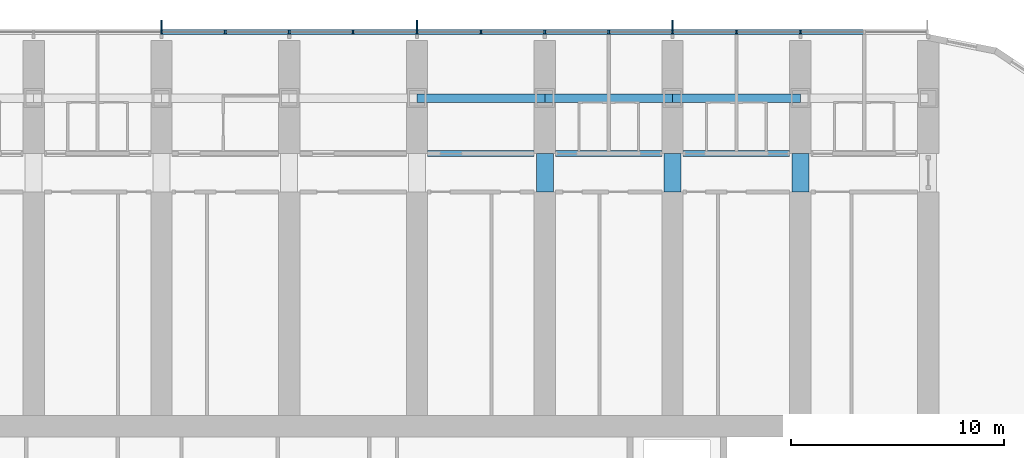
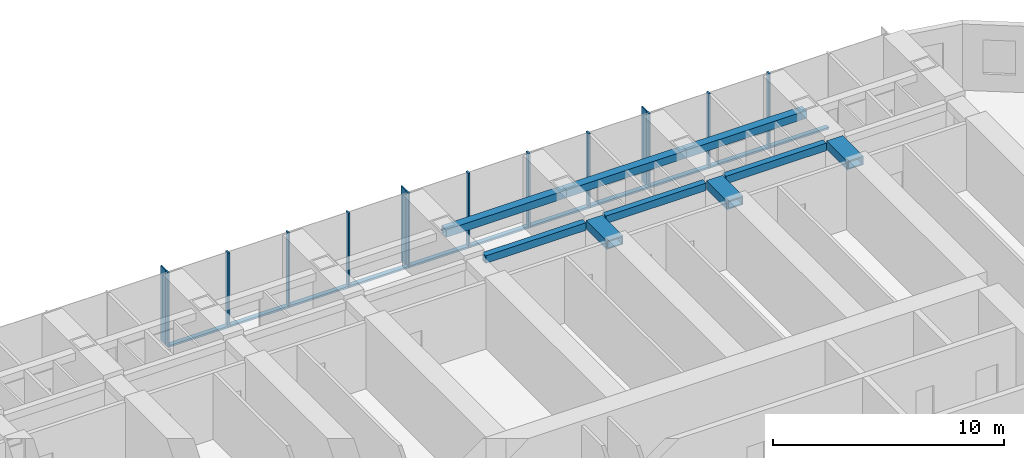
# One storey, part 7 of 28: 25 members, 9 beams, 1 element without a shape of its own.
"""IFC4 building model written with IfcOpenShell, lengths in metres."""

import ifcopenshell
import ifcopenshell.guid

model = None  # the IFC model being written
_history = None  # IfcOwnerHistory: only IFC2X3 demands one
_inside = {}  # id of a spatial element -> (the spatial element, [elements in it])
_under = {}  # id of a project, library or spatial element -> (it, [spatial elements below it])
_declared = {}  # id of a project -> (the project, [libraries it declares])
_typed = {}  # id of a type object -> (the type object, [elements of that type])
_made_of = {}  # id of a material, layer set ... -> (it, [elements and type objects made of it])


def new_model(schema):
    """Start an empty IFC model of exactly this schema.

    Asked for "IFC4X3", IfcOpenShell would pick the latest addendum, in which some entities
    have other attributes; the version numbers below select the first issue.
    IFC2X3 requires an IfcOwnerHistory on every rooted entity: one is made here for all.
    """
    global model, _history
    if schema == "IFC4X3":
        model = ifcopenshell.file(schema_version=(4, 3, 0, 0))
    else:
        model = ifcopenshell.file(schema=schema)
    _inside.clear()
    _under.clear()
    _declared.clear()
    _typed.clear()
    _made_of.clear()
    _history = None
    if model.schema == "IFC2X3":
        org = make("IfcOrganization", Name="unknown")
        user = make(
            "IfcPersonAndOrganization",
            ThePerson=make("IfcPerson", FamilyName="unknown"),
            TheOrganization=org,
        )
        app = make(
            "IfcApplication",
            ApplicationDeveloper=org,
            Version="unknown",
            ApplicationFullName="unknown",
            ApplicationIdentifier="unknown",
        )
        _history = make(
            "IfcOwnerHistory",
            OwningUser=user,
            OwningApplication=app,
            ChangeAction="ADDED",
            CreationDate=0,
        )
    return model


def make(cls, **values):
    """One entity of the class cls with the attributes given. An attribute that is None is left unset."""
    return model.create_entity(
        cls, **{name: value for name, value in values.items() if value is not None}
    )


def rooted(cls, **values):
    """An entity with a GlobalId (a new one), such as an element, a storey or a relation."""
    return make(cls, GlobalId=ifcopenshell.guid.new(), OwnerHistory=_history, **values)


def si_unit(unit_type, name, prefix=None):
    """IfcSIUnit, for example si_unit("LENGTHUNIT", "METRE", prefix="MILLI")."""
    return make("IfcSIUnit", UnitType=unit_type, Prefix=prefix, Name=name)


def assignment(units):
    """IfcUnitAssignment: the units of a project."""
    return None if units is None else make("IfcUnitAssignment", Units=units)


def point(xyz):
    """IfcCartesianPoint."""
    return None if xyz is None else make("IfcCartesianPoint", Coordinates=xyz)


def direction(xyz):
    """IfcDirection."""
    return None if xyz is None else make("IfcDirection", DirectionRatios=xyz)


def frame(location, z_axis=None, x_axis=None):
    """IfcAxis2Placement3D, a coordinate frame: its origin and axes. An axis left out is left unset."""
    return make(
        "IfcAxis2Placement3D",
        Location=point(location),
        Axis=direction(z_axis),
        RefDirection=direction(x_axis),
    )


def frame_2d(location, x_axis=None):
    """IfcAxis2Placement2D, a coordinate frame in the plane: its origin and x axis."""
    return make(
        "IfcAxis2Placement2D", Location=point(location), RefDirection=direction(x_axis)
    )


def origin():
    """The frame at (0, 0, 0) with its axes left unset."""
    return frame((0.0, 0.0, 0.0))


def origin_2d():
    """The frame at (0, 0) in the plane with its x axis left unset."""
    return frame_2d((0.0, 0.0))


def place(relative_to, where):
    """IfcLocalPlacement: puts the frame where relative to a parent placement (None: the world)."""
    return make(
        "IfcLocalPlacement", PlacementRelTo=relative_to, RelativePlacement=where
    )


def context(
    kind, dimensions, precision=None, world=None, true_north=None, identifier=None
):
    """IfcGeometricRepresentationContext, for example the 3D "Model" context."""
    return make(
        "IfcGeometricRepresentationContext",
        ContextIdentifier=identifier,
        ContextType=kind,
        CoordinateSpaceDimension=dimensions,
        Precision=precision,
        WorldCoordinateSystem=world,
        TrueNorth=true_north,
    )


def subcontext(parent, identifier, kind, view, scale=None):
    """IfcGeometricRepresentationSubContext, for example "Body" below "Model"."""
    return make(
        "IfcGeometricRepresentationSubContext",
        ContextIdentifier=identifier,
        ContextType=kind,
        ParentContext=parent,
        TargetScale=scale,
        TargetView=view,
    )


def project(units=None, contexts=None):
    """IfcProject with its units and contexts."""
    return rooted(
        "IfcProject",
        Name="project",
        RepresentationContexts=contexts,
        UnitsInContext=assignment(units),
    )


def spatial(cls, under=None, at=None, **own):
    """A site, building, storey or space (cls), placed at a placement, below another one or the project."""
    s = rooted(cls, ObjectPlacement=at, **own)
    if under is not None:
        _under.setdefault(under.id(), (under, []))[1].append(s)
    return s


def profile(cls, at=None, kind="AREA", **sizes):
    """A parametric profile (cls). Its sizes go by their IFC names, for example OverallWidth=200.0."""
    return make(cls, ProfileType=kind, Position=at, **sizes)


def rectangle(**sizes):
    """IfcRectangleProfileDef."""
    return profile("IfcRectangleProfileDef", **sizes)


def hollow_rectangle(**sizes):
    """IfcRectangleHollowProfileDef."""
    return profile("IfcRectangleHollowProfileDef", **sizes)


def extrude(swept, where, along, depth):
    """IfcExtrudedAreaSolid: the profile swept, set in the frame where, extruded along a direction by depth."""
    return make(
        "IfcExtrudedAreaSolid",
        SweptArea=swept,
        Position=where,
        ExtrudedDirection=direction(along),
        Depth=depth,
    )


def shape(context_of_items, identifier, shape_type, items):
    """IfcShapeRepresentation: the items that make up one representation, for example the "Body"."""
    return make(
        "IfcShapeRepresentation",
        ContextOfItems=context_of_items,
        RepresentationIdentifier=identifier,
        RepresentationType=shape_type,
        Items=items,
    )


def material(Name=None, Category=None):
    """IfcMaterial."""
    return make("IfcMaterial", Name=Name, Category=Category)


def material_profile(
    of_material, cross_section, Name=None, Category=None, Priority=None
):
    """IfcMaterialProfile: a cross section and its material."""
    return make(
        "IfcMaterialProfile",
        Name=Name,
        Material=of_material,
        Profile=cross_section,
        Priority=Priority,
        Category=Category,
    )


def profile_set(profiles, Name=None, composite=None):
    """IfcMaterialProfileSet."""
    return make(
        "IfcMaterialProfileSet",
        Name=Name,
        MaterialProfiles=profiles,
        CompositeProfile=composite,
    )


def made_of(thing, what):
    """Note that an element or type object is made of a material, layer set ...; save() writes the relation."""
    if what is not None:
        _made_of.setdefault(what.id(), (what, []))[1].append(thing)
    return thing


def type_object(cls, material=None, **own):
    """A type object (cls), such as IfcWallType, which elements share."""
    return made_of(rooted(cls, **own), material)


def element(
    cls,
    number,
    at=None,
    inside=None,
    cuts=None,
    type_object=None,
    material=None,
    context=None,
    identifier="Body",
    shape_type=None,
    held_by="IfcProductDefinitionShape",
    body=None,
    shapes=None,
    **own,
):
    """One element of the class cls, such as IfcWall. Its Tag is "e" and its number.

    at: its placement. inside: the storey or other place that contains it. cuts: it is an
    opening in that element (IfcRelVoidsElement). A single representation is given by context,
    identifier, shape_type and body (its items); several are given by shapes. held_by: the class
    of the entity that holds the representations. save() writes the other relations.
    """
    e = rooted(cls, Tag="e%d" % number, ObjectPlacement=at, **own)
    if body is not None:
        shapes = [shape(context, identifier, shape_type, body)]
    if shapes is not None:
        e.Representation = make(held_by, Representations=shapes)
    if inside is not None:
        _inside.setdefault(inside.id(), (inside, []))[1].append(e)
    if cuts is not None:
        rooted(
            "IfcRelVoidsElement", RelatingBuildingElement=cuts, RelatedOpeningElement=e
        )
    if type_object is not None:
        _typed.setdefault(type_object.id(), (type_object, []))[1].append(e)
    return made_of(e, material)


def aggregate(whole, parts):
    """IfcRelAggregates: a whole, such as a stair, and the parts it consists of."""
    return rooted("IfcRelAggregates", RelatingObject=whole, RelatedObjects=parts)


def save(model, path):
    """Write the relations noted so far, then the file.

    IfcRelAggregates (storeys below a building ...), IfcRelContainedInSpatialStructure (elements
    in a storey), IfcRelDefinesByType, IfcRelAssociatesMaterial and IfcRelDeclares: one each for
    every whole, place, type object, material and project.
    """
    for whole, parts in _under.values():
        aggregate(whole, parts)
    for where, things in _inside.values():
        rooted(
            "IfcRelContainedInSpatialStructure",
            RelatedElements=things,
            RelatingStructure=where,
        )
    for kind, things in _typed.values():
        rooted("IfcRelDefinesByType", RelatedObjects=things, RelatingType=kind)
    for what, things in _made_of.values():
        rooted("IfcRelAssociatesMaterial", RelatedObjects=things, RelatingMaterial=what)
    for by, libraries in _declared.values():
        rooted("IfcRelDeclares", RelatingContext=by, RelatedDefinitions=libraries)
    model.write(path)


model = new_model("IFC4")

# Units and contexts
model_context = context("Model", 3, precision=1e-05, world=origin(), true_north=direction((0.0, 1.0)))
body_context = subcontext(model_context, "Body", "Model", "MODEL_VIEW")
ifc_project = project(units=[si_unit("LENGTHUNIT", "METRE"), si_unit("AREAUNIT", "SQUARE_METRE"), si_unit("VOLUMEUNIT", "CUBIC_METRE"), si_unit("PLANEANGLEUNIT", "RADIAN"), si_unit("MASSUNIT", "GRAM", prefix="KILO")], contexts=[model_context])

# Site, building, storey
site_placement = place(None, origin())
site = spatial("IfcSite", under=ifc_project, at=site_placement, CompositionType="ELEMENT")
building_placement = place(site_placement, origin())
building = spatial("IfcBuilding", under=site, at=building_placement, Name="Orbita Commons", CompositionType="ELEMENT")
storey_placement = place(building_placement, frame((0.0, 0.0, 38.949951171875)))
storey = spatial("IfcBuildingStorey", under=building, at=storey_placement, Name="L09", CompositionType="ELEMENT", Elevation=38.949951171875)

# Curtain wall, members
ifc_material_1 = material(Name="Anodised aluminium frame, pale silver", Category="aluminium")
curtain_wall_type = type_object("IfcCurtainWallType", Name="Unitised curtain wall CW-T, vision and spandrel", PredefinedType="NOTDEFINED", material=ifc_material_1)
curtain_wall_placement = place(storey_placement, origin())
curtain_wall = element("IfcCurtainWall", 1, at=curtain_wall_placement, inside=storey, type_object=curtain_wall_type, Name="Curtain wall north L09", PredefinedType="NOTDEFINED")
ifc_material_2 = material(Name="Anodised aluminium, pale silver", Category="aluminium")
ifc_material_profile_1 = material_profile(ifc_material_2, rectangle(XDim=0.080078125, YDim=0.219970703125, at=origin_2d()), Name="AL 80x220")
ifc_profile_set_1 = profile_set([ifc_material_profile_1], Name="Anodised aluminium, pale silver")
member_type_1 = type_object("IfcMemberType", Name="Curtain wall mullion 80x220", PredefinedType="MULLION", material=ifc_profile_set_1)
member_1_placement = place(storey_placement, frame((66.0, 56.7099609375, -0.449951171875), z_axis=(0.0, 0.0, 1.0), x_axis=(-1.0, 0.0, 0.0)))
member_1 = element("IfcMember", 2, at=member_1_placement, type_object=member_type_1, Name="Mullion 3 CW-L09-N", PredefinedType="MULLION", context=body_context, shape_type="SweptSolid", body=[
    extrude(rectangle(XDim=0.080078125, YDim=0.219970703125, at=origin_2d()), origin(), (0.0, 0.0, 1.0), 3.949951171875),
])
member_2_placement = place(storey_placement, frame((63.0, 56.7099609375, -0.449951171875), z_axis=(0.0, 0.0, 1.0), x_axis=(-1.0, 0.0, 0.0)))
member_2 = element("IfcMember", 3, at=member_2_placement, type_object=member_type_1, Name="Mullion 4 CW-L09-N", PredefinedType="MULLION", context=body_context, shape_type="SweptSolid", body=[
    extrude(rectangle(XDim=0.080078125, YDim=0.219970703125, at=origin_2d()), origin(), (0.0, 0.0, 1.0), 3.949951171875),
])
member_3_placement = place(storey_placement, frame((60.0, 56.7099609375, -0.449951171875), z_axis=(0.0, 0.0, 1.0), x_axis=(-1.0, 0.0, 0.0)))
member_3 = element("IfcMember", 4, at=member_3_placement, type_object=member_type_1, Name="Mullion 5 CW-L09-N", PredefinedType="MULLION", context=body_context, shape_type="SweptSolid", body=[
    extrude(rectangle(XDim=0.080078125, YDim=0.219970703125, at=origin_2d()), origin(), (0.0, 0.0, 1.0), 3.949951171875),
])
member_4_placement = place(storey_placement, frame((57.0, 56.7099609375, -0.449951171875), z_axis=(0.0, 0.0, 1.0), x_axis=(-1.0, 0.0, 0.0)))
member_4 = element("IfcMember", 5, at=member_4_placement, type_object=member_type_1, Name="Mullion 6 CW-L09-N", PredefinedType="MULLION", context=body_context, shape_type="SweptSolid", body=[
    extrude(rectangle(XDim=0.080078125, YDim=0.219970703125, at=origin_2d()), origin(), (0.0, 0.0, 1.0), 3.949951171875),
])
member_5_placement = place(storey_placement, frame((54.0, 56.7099609375, -0.449951171875), z_axis=(0.0, 0.0, 1.0), x_axis=(-1.0, 0.0, 0.0)))
member_5 = element("IfcMember", 6, at=member_5_placement, type_object=member_type_1, Name="Mullion 7 CW-L09-N", PredefinedType="MULLION", context=body_context, shape_type="SweptSolid", body=[
    extrude(rectangle(XDim=0.080078125, YDim=0.219970703125, at=origin_2d()), origin(), (0.0, 0.0, 1.0), 3.949951171875),
])
member_6_placement = place(storey_placement, frame((51.0, 56.7099609375, -0.449951171875), z_axis=(0.0, 0.0, 1.0), x_axis=(-1.0, 0.0, 0.0)))
member_6 = element("IfcMember", 7, at=member_6_placement, type_object=member_type_1, Name="Mullion 8 CW-L09-N", PredefinedType="MULLION", context=body_context, shape_type="SweptSolid", body=[
    extrude(rectangle(XDim=0.080078125, YDim=0.219970703125, at=origin_2d()), origin(), (0.0, 0.0, 1.0), 3.949951171875),
])
member_7_placement = place(storey_placement, frame((48.0, 56.7099609375, -0.449951171875), z_axis=(0.0, 0.0, 1.0), x_axis=(-1.0, 0.0, 0.0)))
member_7 = element("IfcMember", 8, at=member_7_placement, type_object=member_type_1, Name="Mullion 9 CW-L09-N", PredefinedType="MULLION", context=body_context, shape_type="SweptSolid", body=[
    extrude(rectangle(XDim=0.080078125, YDim=0.219970703125, at=origin_2d()), origin(), (0.0, 0.0, 1.0), 3.949951171875),
])
member_8_placement = place(storey_placement, frame((45.0, 56.7099609375, -0.449951171875), z_axis=(0.0, 0.0, 1.0), x_axis=(-1.0, 0.0, 0.0)))
member_8 = element("IfcMember", 9, at=member_8_placement, type_object=member_type_1, Name="Mullion 10 CW-L09-N", PredefinedType="MULLION", context=body_context, shape_type="SweptSolid", body=[
    extrude(rectangle(XDim=0.080078125, YDim=0.219970703125, at=origin_2d()), origin(), (0.0, 0.0, 1.0), 3.949951171875),
])
member_9_placement = place(storey_placement, frame((42.0, 56.7099609375, -0.449951171875), z_axis=(0.0, 0.0, 1.0), x_axis=(-1.0, 0.0, 0.0)))
member_9 = element("IfcMember", 10, at=member_9_placement, type_object=member_type_1, Name="Mullion 11 CW-L09-N", PredefinedType="MULLION", context=body_context, shape_type="SweptSolid", body=[
    extrude(rectangle(XDim=0.080078125, YDim=0.219970703125, at=origin_2d()), origin(), (0.0, 0.0, 1.0), 3.949951171875),
])
member_10_placement = place(storey_placement, frame((39.0, 56.7099609375, -0.449951171875), z_axis=(0.0, 0.0, 1.0), x_axis=(-1.0, 0.0, 0.0)))
member_10 = element("IfcMember", 11, at=member_10_placement, type_object=member_type_1, Name="Mullion 12 CW-L09-N", PredefinedType="MULLION", context=body_context, shape_type="SweptSolid", body=[
    extrude(rectangle(XDim=0.080078125, YDim=0.219970703125, at=origin_2d()), origin(), (0.0, 0.0, 1.0), 3.949951171875),
])
member_11_placement = place(storey_placement, frame((36.0, 56.7099609375, -0.449951171875), z_axis=(0.0, 0.0, 1.0), x_axis=(-1.0, 0.0, 0.0)))
member_11 = element("IfcMember", 12, at=member_11_placement, type_object=member_type_1, Name="Mullion 13 CW-L09-N", PredefinedType="MULLION", context=body_context, shape_type="SweptSolid", body=[
    extrude(rectangle(XDim=0.080078125, YDim=0.219970703125, at=origin_2d()), origin(), (0.0, 0.0, 1.0), 3.949951171875),
])
ifc_material_3 = material(Name="Anodised aluminium, pale silver", Category="aluminium")
ifc_material_profile_2 = material_profile(ifc_material_3, rectangle(XDim=0.219970703125, YDim=0.10009765625, at=origin_2d()), Name="AL 220x100")
ifc_profile_set_2 = profile_set([ifc_material_profile_2], Name="Anodised aluminium, pale silver")
member_type_2 = type_object("IfcMemberType", Name="Curtain wall stack transom 220x100", PredefinedType="USERDEFINED", material=ifc_profile_set_2)
member_12_placement = place(storey_placement, frame((68.9599609375, 56.7099609375, -0.39990234375), z_axis=(-1.0, 0.0, 0.0), x_axis=(0.0, -1.0, 0.0)))
member_12 = element("IfcMember", 13, at=member_12_placement, type_object=member_type_2, Name="Transom 2.1 CW-L09-N", ObjectType="TRANSOM", PredefinedType="USERDEFINED", context=body_context, shape_type="SweptSolid", body=[
    extrude(rectangle(XDim=0.219970703125, YDim=0.10009765625, at=origin_2d()), origin(), (0.0, 0.0, 1.0), 2.919921875),
])
member_13_placement = place(storey_placement, frame((65.9599609375, 56.7099609375, -0.39990234375), z_axis=(-1.0, 0.0, 0.0), x_axis=(0.0, -1.0, 0.0)))
member_13 = element("IfcMember", 14, at=member_13_placement, type_object=member_type_2, Name="Transom 3.1 CW-L09-N", ObjectType="TRANSOM", PredefinedType="USERDEFINED", context=body_context, shape_type="SweptSolid", body=[
    extrude(rectangle(XDim=0.219970703125, YDim=0.10009765625, at=origin_2d()), origin(), (0.0, 0.0, 1.0), 2.919921875),
])
member_14_placement = place(storey_placement, frame((62.9599609375, 56.7099609375, -0.39990234375), z_axis=(-1.0, 0.0, 0.0), x_axis=(0.0, -1.0, 0.0)))
member_14 = element("IfcMember", 15, at=member_14_placement, type_object=member_type_2, Name="Transom 4.1 CW-L09-N", ObjectType="TRANSOM", PredefinedType="USERDEFINED", context=body_context, shape_type="SweptSolid", body=[
    extrude(rectangle(XDim=0.219970703125, YDim=0.10009765625, at=origin_2d()), origin(), (0.0, 0.0, 1.0), 2.919921875),
])
member_15_placement = place(storey_placement, frame((59.9599609375, 56.7099609375, -0.39990234375), z_axis=(-1.0, 0.0, 0.0), x_axis=(0.0, -1.0, 0.0)))
member_15 = element("IfcMember", 16, at=member_15_placement, type_object=member_type_2, Name="Transom 5.1 CW-L09-N", ObjectType="TRANSOM", PredefinedType="USERDEFINED", context=body_context, shape_type="SweptSolid", body=[
    extrude(rectangle(XDim=0.219970703125, YDim=0.10009765625, at=origin_2d()), origin(), (0.0, 0.0, 1.0), 2.919921875),
])
member_16_placement = place(storey_placement, frame((56.9599609375, 56.7099609375, -0.39990234375), z_axis=(-1.0, 0.0, 0.0), x_axis=(0.0, -1.0, 0.0)))
member_16 = element("IfcMember", 17, at=member_16_placement, type_object=member_type_2, Name="Transom 6.1 CW-L09-N", ObjectType="TRANSOM", PredefinedType="USERDEFINED", context=body_context, shape_type="SweptSolid", body=[
    extrude(rectangle(XDim=0.219970703125, YDim=0.10009765625, at=origin_2d()), origin(), (0.0, 0.0, 1.0), 2.919921875),
])
member_17_placement = place(storey_placement, frame((53.9599609375, 56.7099609375, -0.39990234375), z_axis=(-1.0, 0.0, 0.0), x_axis=(0.0, -1.0, 0.0)))
member_17 = element("IfcMember", 18, at=member_17_placement, type_object=member_type_2, Name="Transom 7.1 CW-L09-N", ObjectType="TRANSOM", PredefinedType="USERDEFINED", context=body_context, shape_type="SweptSolid", body=[
    extrude(rectangle(XDim=0.219970703125, YDim=0.10009765625, at=origin_2d()), origin(), (0.0, 0.0, 1.0), 2.919921875),
])
member_18_placement = place(storey_placement, frame((50.9599609375, 56.7099609375, -0.39990234375), z_axis=(-1.0, 0.0, 0.0), x_axis=(0.0, -1.0, 0.0)))
member_18 = element("IfcMember", 19, at=member_18_placement, type_object=member_type_2, Name="Transom 8.1 CW-L09-N", ObjectType="TRANSOM", PredefinedType="USERDEFINED", context=body_context, shape_type="SweptSolid", body=[
    extrude(rectangle(XDim=0.219970703125, YDim=0.10009765625, at=origin_2d()), origin(), (0.0, 0.0, 1.0), 2.919921875),
])
member_19_placement = place(storey_placement, frame((47.9599609375, 56.7099609375, -0.39990234375), z_axis=(-1.0, 0.0, 0.0), x_axis=(0.0, -1.0, 0.0)))
member_19 = element("IfcMember", 20, at=member_19_placement, type_object=member_type_2, Name="Transom 9.1 CW-L09-N", ObjectType="TRANSOM", PredefinedType="USERDEFINED", context=body_context, shape_type="SweptSolid", body=[
    extrude(rectangle(XDim=0.219970703125, YDim=0.10009765625, at=origin_2d()), origin(), (0.0, 0.0, 1.0), 2.919921875),
])
member_20_placement = place(storey_placement, frame((44.9599609375, 56.7099609375, -0.39990234375), z_axis=(-1.0, 0.0, 0.0), x_axis=(0.0, -1.0, 0.0)))
member_20 = element("IfcMember", 21, at=member_20_placement, type_object=member_type_2, Name="Transom 10.1 CW-L09-N", ObjectType="TRANSOM", PredefinedType="USERDEFINED", context=body_context, shape_type="SweptSolid", body=[
    extrude(rectangle(XDim=0.219970703125, YDim=0.10009765625, at=origin_2d()), origin(), (0.0, 0.0, 1.0), 2.919921875),
])
member_21_placement = place(storey_placement, frame((41.9599609375, 56.7099609375, -0.39990234375), z_axis=(-1.0, 0.0, 0.0), x_axis=(0.0, -1.0, 0.0)))
member_21 = element("IfcMember", 22, at=member_21_placement, type_object=member_type_2, Name="Transom 11.1 CW-L09-N", ObjectType="TRANSOM", PredefinedType="USERDEFINED", context=body_context, shape_type="SweptSolid", body=[
    extrude(rectangle(XDim=0.219970703125, YDim=0.10009765625, at=origin_2d()), origin(), (0.0, 0.0, 1.0), 2.919921875),
])
member_22_placement = place(storey_placement, frame((38.9599609375, 56.7099609375, -0.39990234375), z_axis=(-1.0, 0.0, 0.0), x_axis=(0.0, -1.0, 0.0)))
member_22 = element("IfcMember", 23, at=member_22_placement, type_object=member_type_2, Name="Transom 12.1 CW-L09-N", ObjectType="TRANSOM", PredefinedType="USERDEFINED", context=body_context, shape_type="SweptSolid", body=[
    extrude(rectangle(XDim=0.219970703125, YDim=0.10009765625, at=origin_2d()), origin(), (0.0, 0.0, 1.0), 2.919921875),
])

# Beams
ifc_material_4 = material(Name="Steel ASTM A572 Gr 50 welded plate", Category="steel")
ifc_material_profile_3 = material_profile(ifc_material_4, hollow_rectangle(XDim=0.300048828125, YDim=0.39990234375, WallThickness=0.0400390625, at=origin_2d()), Name="BOX 400x300x40")
ifc_profile_set_3 = profile_set([ifc_material_profile_3], Name="Steel ASTM A572 Gr 50 welded plate")
beam_type_1 = type_object("IfcBeamType", Name="Steel corridor link BOX 400x300x40", PredefinedType="BEAM", material=ifc_profile_set_3)
for number, where, z_axis, x_axis, name in (
    (24, (48.5, 51.0, 3.300048828125), (1.0, 0.0, 0.0), (0.0, 1.0, 0.0), "Corridor beam NB 9-10 L09"),
    (25, (54.5, 51.0, 3.300048828125), (1.0, 0.0, 0.0), (0.0, 1.0, 0.0), "Corridor beam NB 10-11 L09"),
    (26, (60.5, 51.0, 3.300048828125), (1.0, 0.0, 0.0), (0.0, 1.0, 0.0), "Corridor beam NB 11-12 L09"),
):
    element("IfcBeam", number, at=place(storey_placement, frame(where, z_axis=z_axis, x_axis=x_axis)), inside=storey, type_object=beam_type_1, Name=name, PredefinedType="BEAM", context=body_context, shape_type="SweptSolid", body=[
        extrude(hollow_rectangle(XDim=0.300048828125, YDim=0.39990234375, WallThickness=0.0400390625, at=origin_2d()), origin(), (0.0, 0.0, 1.0), 5.0),
    ])
ifc_material_5 = material(Name="Steel ASTM A572 Gr 50 welded plate", Category="steel")
ifc_material_profile_4 = material_profile(ifc_material_5, hollow_rectangle(XDim=0.800048828125, YDim=0.449951171875, WallThickness=0.06005859375, at=origin_2d()), Name="BOX 450x800x60")
ifc_profile_set_4 = profile_set([ifc_material_profile_4], Name="Steel ASTM A572 Gr 50 welded plate")
beam_type_2 = type_object("IfcBeamType", Name="Steel coupling link BOX 450x800x60", PredefinedType="LINTEL", material=ifc_profile_set_4)
for number, where, z_axis, x_axis, name in (
    (27, (54.0, 49.199951171875, 3.275146484375), (0.0, 1.0, 0.0), (-1.0, 0.0, 0.0), "Coupling beam 10 north L09"),
    (28, (60.0, 49.199951171875, 3.275146484375), (0.0, 1.0, 0.0), (-1.0, 0.0, 0.0), "Coupling beam 11 north L09"),
    (29, (66.0, 49.199951171875, 3.275146484375), (0.0, 1.0, 0.0), (-1.0, 0.0, 0.0), "Coupling beam 12 north L09"),
):
    element("IfcBeam", number, at=place(storey_placement, frame(where, z_axis=z_axis, x_axis=x_axis)), inside=storey, type_object=beam_type_2, Name=name, PredefinedType="LINTEL", context=body_context, shape_type="SweptSolid", body=[
        extrude(hollow_rectangle(XDim=0.800048828125, YDim=0.449951171875, WallThickness=0.06005859375, at=origin_2d()), origin(), (0.0, 0.0, 1.0), 1.800048828125),
    ])
ifc_material_6 = material(Name="Steel ASTM A572 Gr 50 welded plate", Category="steel")
ifc_material_profile_5 = material_profile(ifc_material_6, hollow_rectangle(XDim=0.39990234375, YDim=0.39990234375, WallThickness=0.0400390625, at=origin_2d()), Name="BOX 400x400x40")
ifc_profile_set_5 = profile_set([ifc_material_profile_5], Name="Steel ASTM A572 Gr 50 welded plate")
beam_type_3 = type_object("IfcBeamType", Name="Steel spandrel BOX 400x400x40", PredefinedType="SPANDREL", material=ifc_profile_set_5)
for number, where, z_axis, x_axis, name in (
    (30, (48.0, 53.60009765625, 3.300048828125), (1.0, 0.0, 0.0), (0.0, 1.0, 0.0), "Spandrel beam E 9-10 L09"),
    (31, (54.0, 53.60009765625, 3.300048828125), (1.0, 0.0, 0.0), (0.0, 1.0, 0.0), "Spandrel beam E 10-11 L09"),
    (32, (60.0, 53.60009765625, 3.300048828125), (1.0, 0.0, 0.0), (0.0, 1.0, 0.0), "Spandrel beam E 11-12 L09"),
):
    element("IfcBeam", number, at=place(storey_placement, frame(where, z_axis=z_axis, x_axis=x_axis)), inside=storey, type_object=beam_type_3, Name=name, PredefinedType="SPANDREL", context=body_context, shape_type="SweptSolid", body=[
        extrude(hollow_rectangle(XDim=0.39990234375, YDim=0.39990234375, WallThickness=0.0400390625, at=origin_2d()), origin(), (0.0, 0.0, 1.0), 6.0),
    ])

# Member
ifc_material_7 = material(Name="Anodised aluminium, pale silver", Category="aluminium")
ifc_material_profile_6 = material_profile(ifc_material_7, rectangle(XDim=0.06005859375, YDim=0.449951171875, at=origin_2d()), Name="FIN 60x450")
ifc_profile_set_6 = profile_set([ifc_material_profile_6], Name="Anodised aluminium, pale silver")
member_type_3 = type_object("IfcMemberType", Name="Vertical fin 60x450 pale aluminium", PredefinedType="USERDEFINED", material=ifc_profile_set_6)
member_23_placement = place(storey_placement, frame((60.0, 57.044921875, -0.449951171875), z_axis=(0.0, 0.0, 1.0), x_axis=(-1.0, 0.0, 0.0)))
member_23 = element("IfcMember", 33, at=member_23_placement, type_object=member_type_3, Name="Fin 5 CW-L09-N", ObjectType="FIN", PredefinedType="USERDEFINED", context=body_context, shape_type="SweptSolid", body=[
    extrude(rectangle(XDim=0.06005859375, YDim=0.449951171875, at=origin_2d()), origin(), (0.0, 0.0, 1.0), 3.949951171875),
])

member_24_placement = place(storey_placement, frame((48.0, 57.044921875, -0.449951171875), z_axis=(0.0, 0.0, 1.0), x_axis=(-1.0, 0.0, 0.0)))
member_24 = element("IfcMember", 34, at=member_24_placement, type_object=member_type_3, Name="Fin 9 CW-L09-N", ObjectType="FIN", PredefinedType="USERDEFINED", context=body_context, shape_type="SweptSolid", body=[
    extrude(rectangle(XDim=0.06005859375, YDim=0.449951171875, at=origin_2d()), origin(), (0.0, 0.0, 1.0), 3.949951171875),
])

member_25_placement = place(storey_placement, frame((36.0, 57.044921875, -0.449951171875), z_axis=(0.0, 0.0, 1.0), x_axis=(-1.0, 0.0, 0.0)))
member_25 = element("IfcMember", 35, at=member_25_placement, type_object=member_type_3, Name="Fin 13 CW-L09-N", ObjectType="FIN", PredefinedType="USERDEFINED", context=body_context, shape_type="SweptSolid", body=[
    extrude(rectangle(XDim=0.06005859375, YDim=0.449951171875, at=origin_2d()), origin(), (0.0, 0.0, 1.0), 3.949951171875),
])

aggregate(curtain_wall, [member_1, member_2, member_3, member_23, member_4, member_5, member_6, member_7, member_24, member_8, member_9, member_10, member_11, member_25, member_12, member_13, member_14, member_15, member_16, member_17, member_18, member_19, member_20, member_21, member_22])

save(model, "model.ifc")
